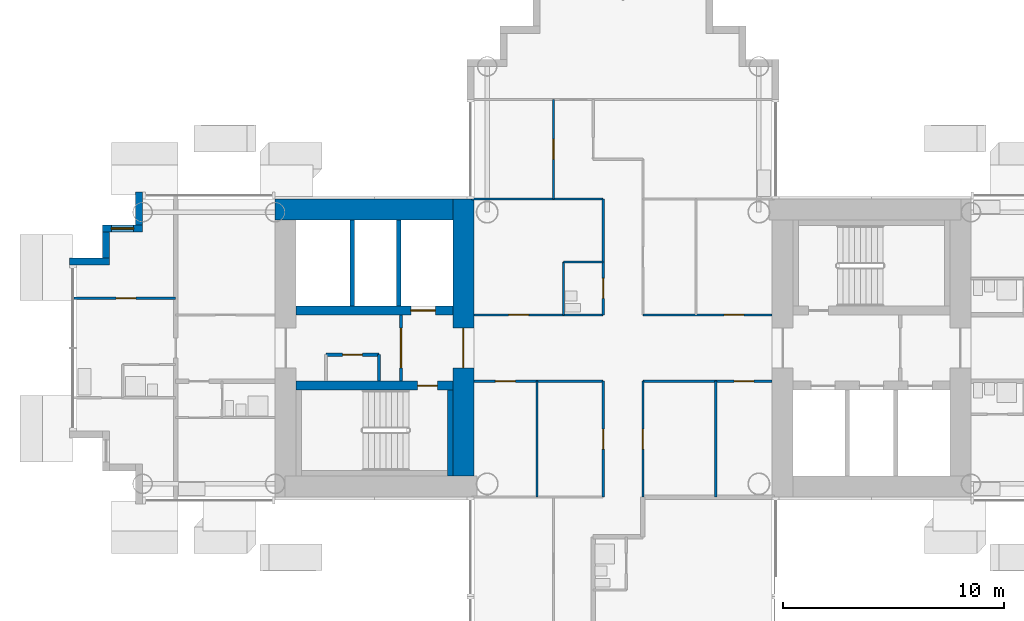
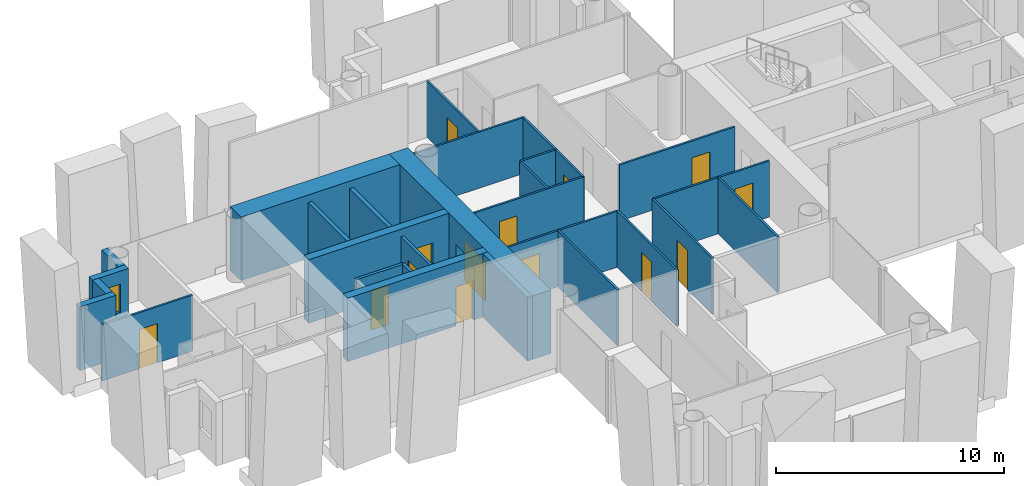
# One storey, part 9 of 21: 28 walls, 14 doors, 1 window, 15 openings.
"""IFC4 building model written with IfcOpenShell, lengths in metres."""

from ifc_helpers import new_model, si_unit, direction, frame, frame_2d, origin, place, context, subcontext, project, spatial, rectangle, extrude, material, layer, layer_set, type_object, element, fill, save


model = new_model("IFC4")

# Units and contexts
model_context = context("Model", 3, precision=1e-05, world=origin(), true_north=direction((0.0, 1.0)))
body_context = subcontext(model_context, "Body", "Model", "MODEL_VIEW")
ifc_project = project(units=[si_unit("LENGTHUNIT", "METRE"), si_unit("AREAUNIT", "SQUARE_METRE"), si_unit("VOLUMEUNIT", "CUBIC_METRE"), si_unit("PLANEANGLEUNIT", "RADIAN"), si_unit("MASSUNIT", "GRAM", prefix="KILO")], contexts=[model_context])

# Site, building, storey
site_placement = place(None, origin())
site = spatial("IfcSite", under=ifc_project, at=site_placement, CompositionType="ELEMENT")
building_placement = place(site_placement, origin())
building = spatial("IfcBuilding", under=site, at=building_placement, Name="Ipe Terrace Towers", CompositionType="ELEMENT")
storey_placement = place(building_placement, frame((0.0, 0.0, 114.0)))
storey = spatial("IfcBuildingStorey", under=building, at=storey_placement, Name="L31", CompositionType="ELEMENT", Elevation=114.0)

# Wall
ifc_material_1 = material(Name="Concrete C40/50 with buff precast cladding", Category="concrete")
ifc_layer_1 = layer(ifc_material_1, 0.320068359375)
ifc_layer_set_1 = layer_set([ifc_layer_1], Name="BUFF CLADDING WALL 320")
wall_type_1 = type_object("IfcWallType", Name="BUFF CLADDING WALL 320", PredefinedType="STANDARD", material=ifc_layer_set_1)
wall_1_placement = place(storey_placement, frame((-57.909912109375, 7.070068359375, -0.300048828125), z_axis=(0.0, 0.0, 1.0), x_axis=(0.0, -1.0, 0.0)))
element("IfcWall", 1, at=wall_1_placement, inside=storey, type_object=wall_type_1, Name="T1-W-L31-47a wall", PredefinedType="STANDARD", context=body_context, shape_type="SweptSolid", body=[
    extrude(rectangle(XDim=1.5, YDim=0.320068359375, at=frame_2d((0.75, 0.0))), origin(), (0.0, 0.0, 1.0), 3.400146484375),
])

# Wall, opening, window
wall_2_placement = place(storey_placement, frame((-57.75, 5.409912109375, -0.300048828125), z_axis=(0.0, 0.0, 1.0), x_axis=(-1.0, 0.0, 0.0)))
wall_2 = element("IfcWall", 2, at=wall_2_placement, inside=storey, type_object=wall_type_1, Name="T1-W-L31-48a wall", PredefinedType="STANDARD", context=body_context, shape_type="SweptSolid", body=[
    extrude(rectangle(XDim=1.820068359375, YDim=0.320068359375, at=frame_2d((0.91015625, 0.0))), origin(), (0.0, 0.0, 1.0), 3.400146484375),
])
opening_1_placement = place(wall_2_placement, frame((0.409912109375, 0.0, 1.199951171875)))
opening_1 = element("IfcOpeningElement", 3, at=opening_1_placement, cuts=wall_2, Name="Opening T1-W-05-L31-02", PredefinedType="OPENING", context=body_context, shape_type="SweptSolid", body=[
    extrude(rectangle(XDim=1.0, YDim=1.5, at=frame_2d((0.5, 0.75))), frame((0.0, 0.169921875, 0.0), z_axis=(0.0, -1.0, 0.0), x_axis=(1.0, 0.0, 0.0)), (0.0, 0.0, 1.0), 0.340087890625),
])
ifc_material_2 = material(Name="Glass, clear laminated", Category="glass")
window_type = type_object("IfcWindowType", Name="DWELLING WINDOW 1000 x 1500", PartitioningType="SINGLE_PANEL", PredefinedType="WINDOW", material=ifc_material_2)
window_placement = place(opening_1_placement, origin())
window = element("IfcWindow", 4, at=window_placement, inside=storey, type_object=window_type, Name="W-05 window", OverallHeight=1.5, OverallWidth=1.0, PartitioningType="SINGLE_PANEL", PredefinedType="WINDOW", context=body_context, shape_type="SweptSolid", body=[
    extrude(rectangle(XDim=1.0, YDim=1.5, at=frame_2d((0.5, 0.75))), frame((0.0, 0.030029296875, 0.0), z_axis=(0.0, -1.0, 0.0), x_axis=(1.0, 0.0, 0.0)), (0.0, 0.0, 1.0), 0.06005859375),
])
fill(opening_1, window)

# Walls
wall_3_placement = place(storey_placement, frame((-59.409912109375, 5.25, -0.300048828125), z_axis=(0.0, 0.0, 1.0), x_axis=(0.0, -1.0, 0.0)))
element("IfcWall", 5, at=wall_3_placement, inside=storey, type_object=wall_type_1, Name="T1-W-L31-49a wall", PredefinedType="STANDARD", context=body_context, shape_type="SweptSolid", body=[
    extrude(rectangle(XDim=1.179931640625, YDim=0.320068359375, at=frame_2d((0.58984375, 0.0))), origin(), (0.0, 0.0, 1.0), 3.400146484375),
])
wall_4_placement = place(storey_placement, frame((-59.25, 3.909912109375, -0.300048828125), z_axis=(0.0, 0.0, 1.0), x_axis=(-1.0, 0.0, 0.0)))
element("IfcWall", 6, at=wall_4_placement, inside=storey, type_object=wall_type_1, Name="T1-W-L31-50a wall", PredefinedType="STANDARD", context=body_context, shape_type="SweptSolid", body=[
    extrude(rectangle(XDim=1.820068359375, YDim=0.320068359375, at=frame_2d((0.91015625, 0.0))), origin(), (0.0, 0.0, 1.0), 3.400146484375),
])
ifc_material_3 = material(Name="Gypsum board partition", Category="plasterboard")
ifc_layer_2 = layer(ifc_material_3, 0.10009765625)
ifc_layer_set_2 = layer_set([ifc_layer_2], Name="Gypsum board partition 100 mm")
wall_type_2 = type_object("IfcWallType", Name="Gypsum board partition 100 mm", PredefinedType="PARTITIONING", material=ifc_layer_set_2)
wall_5_placement = place(storey_placement, frame((-39.89990234375, -6.75, 0.0), z_axis=(0.0, 0.0, 1.0), x_axis=(0.0, 1.0, 0.0)))
element("IfcWall", 7, at=wall_5_placement, inside=storey, type_object=wall_type_2, Name="Gypsum board partition T1 L31 W04", PredefinedType="PARTITIONING", context=body_context, shape_type="SweptSolid", body=[
    extrude(rectangle(XDim=5.25, YDim=0.10009765625, at=frame_2d((2.625, 0.0))), origin(), (0.0, 0.0, 1.0), 3.0),
])

# Wall, opening, door
wall_6_placement = place(storey_placement, frame((-39.14990234375, 6.75, 0.0), z_axis=(0.0, 0.0, 1.0), x_axis=(0.0, 1.0, 0.0)))
wall_6 = element("IfcWall", 8, at=wall_6_placement, inside=storey, type_object=wall_type_2, Name="Gypsum board partition T1 L31 W06", PredefinedType="PARTITIONING", context=body_context, shape_type="SweptSolid", body=[
    extrude(rectangle(XDim=4.5, YDim=0.10009765625, at=frame_2d((2.25, 0.0))), origin(), (0.0, 0.0, 1.0), 3.0),
])
opening_2_placement = place(wall_6_placement, frame((1.800048828125, 0.0, 0.0)))
opening_2 = element("IfcOpeningElement", 9, at=opening_2_placement, cuts=wall_6, Name="Opening T1-Z2F-09", PredefinedType="OPENING", context=body_context, shape_type="SweptSolid", body=[
    extrude(rectangle(XDim=0.89990234375, YDim=2.10009765625, at=frame_2d((0.449951171875, 1.050048828125))), frame((0.0, 0.06005859375, 0.0), z_axis=(0.0, -1.0, 0.0), x_axis=(1.0, 0.0, 0.0)), (0.0, 0.0, 1.0), 0.1201171875),
])
ifc_material_4 = material(Name="Timber door leaf", Category="wood")
door_type_1 = type_object("IfcDoorType", Name="Lounge door 900 x 2100", OperationType="NOTDEFINED", PredefinedType="DOOR", material=ifc_material_4)
door_1_placement = place(opening_2_placement, origin())
door_1 = element("IfcDoor", 10, at=door_1_placement, inside=storey, type_object=door_type_1, Name="Lounge door T1-Z2F-09", OperationType="SINGLE_SWING_LEFT", OverallHeight=2.10009765625, OverallWidth=0.89990234375, PredefinedType="DOOR", context=body_context, shape_type="SweptSolid", body=[
    extrude(rectangle(XDim=0.89990234375, YDim=2.10009765625, at=frame_2d((0.449951171875, 1.050048828125))), frame((0.0, 0.02490234375, 0.0), z_axis=(0.0, -1.0, 0.0), x_axis=(1.0, 0.0, 0.0)), (0.0, 0.0, 1.0), 0.050048828125),
])
fill(opening_2, door_1)

# Wall
wall_7_placement = place(storey_placement, frame((-38.699951171875, 1.5, 0.0), z_axis=(0.0, 0.0, 1.0), x_axis=(0.0, 1.0, 0.0)))
element("IfcWall", 11, at=wall_7_placement, inside=storey, type_object=wall_type_2, Name="Gypsum board partition T1 L31 W07", PredefinedType="PARTITIONING", context=body_context, shape_type="SweptSolid", body=[
    extrude(rectangle(XDim=2.39990234375, YDim=0.10009765625, at=frame_2d((1.199951171875, 0.0))), origin(), (0.0, 0.0, 1.0), 3.0),
])

# Wall, opening, door
wall_8_placement = place(storey_placement, frame((-36.89990234375, -6.75, 0.0), z_axis=(0.0, 0.0, 1.0), x_axis=(0.0, 1.0, 0.0)))
wall_8 = element("IfcWall", 12, at=wall_8_placement, inside=storey, type_object=wall_type_2, Name="Gypsum board partition T1 L31 W10", PredefinedType="PARTITIONING", context=body_context, shape_type="SweptSolid", body=[
    extrude(rectangle(XDim=5.25, YDim=0.10009765625, at=frame_2d((2.625, 0.0))), origin(), (0.0, 0.0, 1.0), 3.0),
])
opening_3_placement = place(wall_8_placement, frame((2.175048828125, 0.0, 0.0)))
opening_3 = element("IfcOpeningElement", 13, at=opening_3_placement, cuts=wall_8, Name="Opening T1-Z2F-05", PredefinedType="OPENING", context=body_context, shape_type="SweptSolid", body=[
    extrude(rectangle(XDim=0.89990234375, YDim=2.10009765625, at=frame_2d((0.449951171875, 1.050048828125))), frame((0.0, 0.06005859375, 0.0), z_axis=(0.0, -1.0, 0.0), x_axis=(1.0, 0.0, 0.0)), (0.0, 0.0, 1.0), 0.1201171875),
])
door_2_placement = place(opening_3_placement, origin())
door_2 = element("IfcDoor", 14, at=door_2_placement, inside=storey, type_object=door_type_1, Name="Lounge door T1-Z2F-05", OperationType="SINGLE_SWING_LEFT", OverallHeight=2.10009765625, OverallWidth=0.89990234375, PredefinedType="DOOR", context=body_context, shape_type="SweptSolid", body=[
    extrude(rectangle(XDim=0.89990234375, YDim=2.10009765625, at=frame_2d((0.449951171875, 1.050048828125))), frame((0.0, 0.02490234375, 0.0), z_axis=(0.0, -1.0, 0.0), x_axis=(1.0, 0.0, 0.0)), (0.0, 0.0, 1.0), 0.050048828125),
])
fill(opening_3, door_2)

wall_9_placement = place(storey_placement, frame((-36.89990234375, 1.5, 0.0), z_axis=(0.0, 0.0, 1.0), x_axis=(0.0, 1.0, 0.0)))
wall_9 = element("IfcWall", 15, at=wall_9_placement, inside=storey, type_object=wall_type_2, Name="Gypsum board partition T1 L31 W11", PredefinedType="PARTITIONING", context=body_context, shape_type="SweptSolid", body=[
    extrude(rectangle(XDim=5.25, YDim=0.10009765625, at=frame_2d((2.625, 0.0))), origin(), (0.0, 0.0, 1.0), 3.0),
])
opening_4_placement = place(wall_9_placement, frame((0.75, 0.0, 0.0)))
opening_4 = element("IfcOpeningElement", 16, at=opening_4_placement, cuts=wall_9, Name="Opening T1-Z2F-01", PredefinedType="OPENING", context=body_context, shape_type="SweptSolid", body=[
    extrude(rectangle(XDim=0.89990234375, YDim=2.10009765625, at=frame_2d((0.449951171875, 1.050048828125))), frame((0.0, 0.06005859375, 0.0), z_axis=(0.0, -1.0, 0.0), x_axis=(1.0, 0.0, 0.0)), (0.0, 0.0, 1.0), 0.1201171875),
])
ifc_material_5 = material(Name="Timber door leaf", Category="wood")
door_type_2 = type_object("IfcDoorType", Name="Bathroom door 900 x 2100", OperationType="NOTDEFINED", PredefinedType="DOOR", material=ifc_material_5)
door_3_placement = place(opening_4_placement, origin())
door_3 = element("IfcDoor", 17, at=door_3_placement, inside=storey, type_object=door_type_2, Name="Bathroom door T1-Z2F-01", OperationType="SINGLE_SWING_RIGHT", OverallHeight=2.10009765625, OverallWidth=0.89990234375, PredefinedType="DOOR", context=body_context, shape_type="SweptSolid", body=[
    extrude(rectangle(XDim=0.89990234375, YDim=2.10009765625, at=frame_2d((0.449951171875, 1.050048828125))), frame((0.0, 0.02490234375, 0.0), z_axis=(0.0, -1.0, 0.0), x_axis=(1.0, 0.0, 0.0)), (0.0, 0.0, 1.0), 0.050048828125),
])
fill(opening_4, door_3)

wall_10_placement = place(storey_placement, frame((-35.10009765625, -6.75, 0.0), z_axis=(0.0, 0.0, 1.0), x_axis=(0.0, 1.0, 0.0)))
wall_10 = element("IfcWall", 18, at=wall_10_placement, inside=storey, type_object=wall_type_2, Name="Gypsum board partition T1 L31 W13", PredefinedType="PARTITIONING", context=body_context, shape_type="SweptSolid", body=[
    extrude(rectangle(XDim=5.25, YDim=0.10009765625, at=frame_2d((2.625, 0.0))), origin(), (0.0, 0.0, 1.0), 3.0),
])
opening_5_placement = place(wall_10_placement, frame((2.175048828125, 0.0, 0.0)))
opening_5 = element("IfcOpeningElement", 19, at=opening_5_placement, cuts=wall_10, Name="Opening T1-Z2F-07", PredefinedType="OPENING", context=body_context, shape_type="SweptSolid", body=[
    extrude(rectangle(XDim=0.89990234375, YDim=2.10009765625, at=frame_2d((0.449951171875, 1.050048828125))), frame((0.0, 0.06005859375, 0.0), z_axis=(0.0, -1.0, 0.0), x_axis=(1.0, 0.0, 0.0)), (0.0, 0.0, 1.0), 0.1201171875),
])
door_4_placement = place(opening_5_placement, origin())
door_4 = element("IfcDoor", 20, at=door_4_placement, inside=storey, type_object=door_type_1, Name="Lounge door T1-Z2F-07", OperationType="SINGLE_SWING_RIGHT", OverallHeight=2.10009765625, OverallWidth=0.89990234375, PredefinedType="DOOR", context=body_context, shape_type="SweptSolid", body=[
    extrude(rectangle(XDim=0.89990234375, YDim=2.10009765625, at=frame_2d((0.449951171875, 1.050048828125))), frame((0.0, 0.02490234375, 0.0), z_axis=(0.0, -1.0, 0.0), x_axis=(1.0, 0.0, 0.0)), (0.0, 0.0, 1.0), 0.050048828125),
])
fill(opening_5, door_4)

# Wall
wall_11_placement = place(storey_placement, frame((-31.800048828125, -6.75, 0.0), z_axis=(0.0, 0.0, 1.0), x_axis=(0.0, 1.0, 0.0)))
element("IfcWall", 21, at=wall_11_placement, inside=storey, type_object=wall_type_2, Name="Gypsum board partition T1 L31 W17", PredefinedType="PARTITIONING", context=body_context, shape_type="SweptSolid", body=[
    extrude(rectangle(XDim=5.25, YDim=0.10009765625, at=frame_2d((2.625, 0.0))), origin(), (0.0, 0.0, 1.0), 3.0),
])

# Wall, opening, door
wall_12_placement = place(storey_placement, frame((-42.75, -1.5, 0.0), z_axis=(0.0, 0.0, 1.0), x_axis=(1.0, 0.0, 0.0)))
wall_12 = element("IfcWall", 22, at=wall_12_placement, inside=storey, type_object=wall_type_2, Name="Gypsum board partition T1 L31 W32", PredefinedType="PARTITIONING", context=body_context, shape_type="SweptSolid", body=[
    extrude(rectangle(XDim=5.85009765625, YDim=0.10009765625, at=frame_2d((2.925048828125, 0.0))), origin(), (0.0, 0.0, 1.0), 3.0),
])
opening_6_placement = place(wall_12_placement, frame((0.97509765625, 0.0, 0.0)))
opening_6 = element("IfcOpeningElement", 23, at=opening_6_placement, cuts=wall_12, Name="Opening T1-Z2F-06", PredefinedType="OPENING", context=body_context, shape_type="SweptSolid", body=[
    extrude(rectangle(XDim=0.89990234375, YDim=2.10009765625, at=frame_2d((0.449951171875, 1.050048828125))), frame((0.0, 0.06005859375, 0.0), z_axis=(0.0, -1.0, 0.0), x_axis=(1.0, 0.0, 0.0)), (0.0, 0.0, 1.0), 0.1201171875),
])
door_5_placement = place(opening_6_placement, origin())
door_5 = element("IfcDoor", 24, at=door_5_placement, inside=storey, type_object=door_type_1, Name="Lounge door T1-Z2F-06", OperationType="SINGLE_SWING_LEFT", OverallHeight=2.10009765625, OverallWidth=0.89990234375, PredefinedType="DOOR", context=body_context, shape_type="SweptSolid", body=[
    extrude(rectangle(XDim=0.89990234375, YDim=2.10009765625, at=frame_2d((0.449951171875, 1.050048828125))), frame((0.0, 0.02490234375, 0.0), z_axis=(0.0, -1.0, 0.0), x_axis=(1.0, 0.0, 0.0)), (0.0, 0.0, 1.0), 0.050048828125),
])
fill(opening_6, door_5)

wall_13_placement = place(storey_placement, frame((-35.10009765625, -1.5, 0.0), z_axis=(0.0, 0.0, 1.0), x_axis=(1.0, 0.0, 0.0)))
wall_13 = element("IfcWall", 25, at=wall_13_placement, inside=storey, type_object=wall_type_2, Name="Gypsum board partition T1 L31 W33", PredefinedType="PARTITIONING", context=body_context, shape_type="SweptSolid", body=[
    extrude(rectangle(XDim=5.85009765625, YDim=0.10009765625, at=frame_2d((2.925048828125, 0.0))), origin(), (0.0, 0.0, 1.0), 3.0),
])
opening_7_placement = place(wall_13_placement, frame((4.125, 0.0, 0.0)))
opening_7 = element("IfcOpeningElement", 26, at=opening_7_placement, cuts=wall_13, Name="Opening T1-Z2F-08", PredefinedType="OPENING", context=body_context, shape_type="SweptSolid", body=[
    extrude(rectangle(XDim=0.89990234375, YDim=2.10009765625, at=frame_2d((0.449951171875, 1.050048828125))), frame((0.0, 0.06005859375, 0.0), z_axis=(0.0, -1.0, 0.0), x_axis=(1.0, 0.0, 0.0)), (0.0, 0.0, 1.0), 0.1201171875),
])
door_6_placement = place(opening_7_placement, origin())
door_6 = element("IfcDoor", 27, at=door_6_placement, inside=storey, type_object=door_type_1, Name="Lounge door T1-Z2F-08", OperationType="SINGLE_SWING_RIGHT", OverallHeight=2.10009765625, OverallWidth=0.89990234375, PredefinedType="DOOR", context=body_context, shape_type="SweptSolid", body=[
    extrude(rectangle(XDim=0.89990234375, YDim=2.10009765625, at=frame_2d((0.449951171875, 1.050048828125))), frame((0.0, 0.02490234375, 0.0), z_axis=(0.0, -1.0, 0.0), x_axis=(1.0, 0.0, 0.0)), (0.0, 0.0, 1.0), 0.050048828125),
])
fill(opening_7, door_6)

wall_14_placement = place(storey_placement, frame((-42.75, 1.5, 0.0), z_axis=(0.0, 0.0, 1.0), x_axis=(1.0, 0.0, 0.0)))
wall_14 = element("IfcWall", 28, at=wall_14_placement, inside=storey, type_object=wall_type_2, Name="Gypsum board partition T1 L31 W38", PredefinedType="PARTITIONING", context=body_context, shape_type="SweptSolid", body=[
    extrude(rectangle(XDim=5.85009765625, YDim=0.10009765625, at=frame_2d((2.925048828125, 0.0))), origin(), (0.0, 0.0, 1.0), 3.0),
])
opening_8_placement = place(wall_14_placement, frame((1.574951171875, 0.0, 0.0)))
opening_8 = element("IfcOpeningElement", 29, at=opening_8_placement, cuts=wall_14, Name="Opening T1-Z2F-04", PredefinedType="OPENING", context=body_context, shape_type="SweptSolid", body=[
    extrude(rectangle(XDim=0.89990234375, YDim=2.10009765625, at=frame_2d((0.449951171875, 1.050048828125))), frame((0.0, 0.06005859375, 0.0), z_axis=(0.0, -1.0, 0.0), x_axis=(1.0, 0.0, 0.0)), (0.0, 0.0, 1.0), 0.1201171875),
])
door_7_placement = place(opening_8_placement, origin())
door_7 = element("IfcDoor", 30, at=door_7_placement, inside=storey, type_object=door_type_1, Name="Lounge door T1-Z2F-04", OperationType="SINGLE_SWING_RIGHT", OverallHeight=2.10009765625, OverallWidth=0.89990234375, PredefinedType="DOOR", context=body_context, shape_type="SweptSolid", body=[
    extrude(rectangle(XDim=0.89990234375, YDim=2.10009765625, at=frame_2d((0.449951171875, 1.050048828125))), frame((0.0, 0.02490234375, 0.0), z_axis=(0.0, -1.0, 0.0), x_axis=(1.0, 0.0, 0.0)), (0.0, 0.0, 1.0), 0.050048828125),
])
fill(opening_8, door_7)

wall_15_placement = place(storey_placement, frame((-35.10009765625, 1.5, 0.0), z_axis=(0.0, 0.0, 1.0), x_axis=(1.0, 0.0, 0.0)))
wall_15 = element("IfcWall", 31, at=wall_15_placement, inside=storey, type_object=wall_type_2, Name="Gypsum board partition T1 L31 W39", PredefinedType="PARTITIONING", context=body_context, shape_type="SweptSolid", body=[
    extrude(rectangle(XDim=5.85009765625, YDim=0.10009765625, at=frame_2d((2.925048828125, 0.0))), origin(), (0.0, 0.0, 1.0), 3.0),
])
opening_9_placement = place(wall_15_placement, frame((3.675048828125, 0.0, 0.0)))
opening_9 = element("IfcOpeningElement", 32, at=opening_9_placement, cuts=wall_15, Name="Opening T1-Z2F-03", PredefinedType="OPENING", context=body_context, shape_type="SweptSolid", body=[
    extrude(rectangle(XDim=0.89990234375, YDim=2.10009765625, at=frame_2d((0.449951171875, 1.050048828125))), frame((0.0, 0.06005859375, 0.0), z_axis=(0.0, -1.0, 0.0), x_axis=(1.0, 0.0, 0.0)), (0.0, 0.0, 1.0), 0.1201171875),
])
door_8_placement = place(opening_9_placement, origin())
door_8 = element("IfcDoor", 33, at=door_8_placement, inside=storey, type_object=door_type_1, Name="Lounge door T1-Z2F-03", OperationType="SINGLE_SWING_LEFT", OverallHeight=2.10009765625, OverallWidth=0.89990234375, PredefinedType="DOOR", context=body_context, shape_type="SweptSolid", body=[
    extrude(rectangle(XDim=0.89990234375, YDim=2.10009765625, at=frame_2d((0.449951171875, 1.050048828125))), frame((0.0, 0.02490234375, 0.0), z_axis=(0.0, -1.0, 0.0), x_axis=(1.0, 0.0, 0.0)), (0.0, 0.0, 1.0), 0.050048828125),
])
fill(opening_9, door_8)

wall_16_placement = place(storey_placement, frame((-60.85009765625, 2.25, 0.0), z_axis=(0.0, 0.0, 1.0), x_axis=(1.0, 0.0, 0.0)))
wall_16 = element("IfcWall", 34, at=wall_16_placement, inside=storey, type_object=wall_type_2, Name="Gypsum board partition T1 L31 W41", PredefinedType="PARTITIONING", context=body_context, shape_type="SweptSolid", body=[
    extrude(rectangle(XDim=4.60009765625, YDim=0.10009765625, at=frame_2d((2.300048828125, 0.0))), origin(), (0.0, 0.0, 1.0), 3.0),
])
opening_10_placement = place(wall_16_placement, frame((1.89990234375, 0.0, 0.0)))
opening_10 = element("IfcOpeningElement", 35, at=opening_10_placement, cuts=wall_16, Name="Opening T1-Z2F-29", PredefinedType="OPENING", context=body_context, shape_type="SweptSolid", body=[
    extrude(rectangle(XDim=0.89990234375, YDim=2.10009765625, at=frame_2d((0.449951171875, 1.050048828125))), frame((0.0, 0.06005859375, 0.0), z_axis=(0.0, -1.0, 0.0), x_axis=(1.0, 0.0, 0.0)), (0.0, 0.0, 1.0), 0.1201171875),
])
ifc_material_6 = material(Name="Timber door leaf", Category="wood")
door_type_3 = type_object("IfcDoorType", Name="Bedroom door 900 x 2100", OperationType="NOTDEFINED", PredefinedType="DOOR", material=ifc_material_6)
door_9_placement = place(opening_10_placement, origin())
door_9 = element("IfcDoor", 36, at=door_9_placement, inside=storey, type_object=door_type_3, Name="Bedroom door T1-Z2F-29", OperationType="SINGLE_SWING_LEFT", OverallHeight=2.10009765625, OverallWidth=0.89990234375, PredefinedType="DOOR", context=body_context, shape_type="SweptSolid", body=[
    extrude(rectangle(XDim=0.89990234375, YDim=2.10009765625, at=frame_2d((0.449951171875, 1.050048828125))), frame((0.0, 0.02490234375, 0.0), z_axis=(0.0, -1.0, 0.0), x_axis=(1.0, 0.0, 0.0)), (0.0, 0.0, 1.0), 0.050048828125),
])
fill(opening_10, door_9)

# Walls
wall_17_placement = place(storey_placement, frame((-38.699951171875, 3.89990234375, 0.0), z_axis=(0.0, 0.0, 1.0), x_axis=(1.0, 0.0, 0.0)))
element("IfcWall", 37, at=wall_17_placement, inside=storey, type_object=wall_type_2, Name="Gypsum board partition T1 L31 W43", PredefinedType="PARTITIONING", context=body_context, shape_type="SweptSolid", body=[
    extrude(rectangle(XDim=1.800048828125, YDim=0.10009765625, at=frame_2d((0.89990234375, 0.0))), origin(), (0.0, 0.0, 1.0), 3.0),
])
wall_18_placement = place(storey_placement, frame((-42.85009765625, 6.75, 0.0), z_axis=(0.0, 0.0, 1.0), x_axis=(1.0, 0.0, 0.0)))
element("IfcWall", 38, at=wall_18_placement, inside=storey, type_object=wall_type_2, Name="Gypsum board partition T1 L31 W44", PredefinedType="PARTITIONING", context=body_context, shape_type="SweptSolid", body=[
    extrude(rectangle(XDim=5.9501953125, YDim=0.10009765625, at=frame_2d((2.97509765625, 0.0))), origin(), (0.0, 0.0, 1.0), 3.0),
])

# Wall, opening, door
ifc_material_7 = material(Name="Gypsum board partition", Category="plasterboard")
ifc_layer_3 = layer(ifc_material_7, 0.14990234375)
ifc_layer_set_3 = layer_set([ifc_layer_3], Name="Gypsum board partition 150 mm")
wall_type_3 = type_object("IfcWallType", Name="Gypsum board partition 150 mm", PredefinedType="PARTITIONING", material=ifc_layer_set_3)
wall_19_placement = place(storey_placement, frame((-46.050048828125, 1.5, 0.0), z_axis=(0.0, 0.0, 1.0), x_axis=(0.0, -1.0, 0.0)))
wall_19 = element("IfcWall", 39, at=wall_19_placement, inside=storey, type_object=wall_type_3, Name="Gypsum board partition T1 L31 t1c2-lobby-wall", PredefinedType="PARTITIONING", context=body_context, shape_type="SweptSolid", body=[
    extrude(rectangle(XDim=3.0, YDim=0.14990234375, at=frame_2d((1.5, 0.0))), origin(), (0.0, 0.0, 1.0), 3.0),
])
opening_11_placement = place(wall_19_placement, frame((0.60009765625, 0.0, 0.0)))
opening_11 = element("IfcOpeningElement", 40, at=opening_11_placement, cuts=wall_19, Name="Opening T1C2-VD", PredefinedType="OPENING", context=body_context, shape_type="SweptSolid", body=[
    extrude(rectangle(XDim=1.800048828125, YDim=2.10009765625, at=frame_2d((0.89990234375, 1.050048828125))), frame((0.0, 0.0849609375, 0.0), z_axis=(0.0, -1.0, 0.0), x_axis=(1.0, 0.0, 0.0)), (0.0, 0.0, 1.0), 0.169921875),
])
ifc_material_8 = material(Name="Fire-rated timber door leaf", Category="wood")
door_type_4 = type_object("IfcDoorType", Name="Lobby door 1800 x 2100 FD60", OperationType="NOTDEFINED", PredefinedType="DOOR", material=ifc_material_8)
door_10_placement = place(opening_11_placement, origin())
door_10 = element("IfcDoor", 41, at=door_10_placement, inside=storey, type_object=door_type_4, Name="Lobby door T1C2-VD", OperationType="SINGLE_SWING_LEFT", OverallHeight=2.10009765625, OverallWidth=1.800048828125, PredefinedType="DOOR", context=body_context, shape_type="SweptSolid", body=[
    extrude(rectangle(XDim=1.800048828125, YDim=2.10009765625, at=frame_2d((0.89990234375, 1.050048828125))), frame((0.0, 0.02490234375, 0.0), z_axis=(0.0, -1.0, 0.0), x_axis=(1.0, 0.0, 0.0)), (0.0, 0.0, 1.0), 0.050048828125),
])
fill(opening_11, door_10)

wall_20_placement = place(storey_placement, frame((-47.050048828125, -0.300048828125, 0.0), z_axis=(0.0, 0.0, 1.0), x_axis=(-1.0, 0.0, 0.0)))
wall_20 = element("IfcWall", 42, at=wall_20_placement, inside=storey, type_object=wall_type_3, Name="Gypsum board partition T1 L31 t1c2-cup-n-f", PredefinedType="PARTITIONING", context=body_context, shape_type="SweptSolid", body=[
    extrude(rectangle(XDim=2.39990234375, YDim=0.14990234375, at=frame_2d((1.199951171875, 0.0))), origin(), (0.0, 0.0, 1.0), 3.0),
])
opening_12_placement = place(wall_20_placement, frame((0.75, 0.0, 0.0)))
opening_12 = element("IfcOpeningElement", 43, at=opening_12_placement, cuts=wall_20, Name="Opening T1C2-SR", PredefinedType="OPENING", context=body_context, shape_type="SweptSolid", body=[
    extrude(rectangle(XDim=0.89990234375, YDim=2.10009765625, at=frame_2d((0.449951171875, 1.050048828125))), frame((0.0, 0.0849609375, 0.0), z_axis=(0.0, -1.0, 0.0), x_axis=(1.0, 0.0, 0.0)), (0.0, 0.0, 1.0), 0.169921875),
])
ifc_material_9 = material(Name="Fire-rated timber door leaf", Category="wood")
door_type_5 = type_object("IfcDoorType", Name="Service door 900 x 2100 FD60", OperationType="NOTDEFINED", PredefinedType="DOOR", material=ifc_material_9)
door_11_placement = place(opening_12_placement, origin())
door_11 = element("IfcDoor", 44, at=door_11_placement, inside=storey, type_object=door_type_5, Name="Service door T1C2-SR", OperationType="SINGLE_SWING_LEFT", OverallHeight=2.10009765625, OverallWidth=0.89990234375, PredefinedType="DOOR", context=body_context, shape_type="SweptSolid", body=[
    extrude(rectangle(XDim=0.89990234375, YDim=2.10009765625, at=frame_2d((0.449951171875, 1.050048828125))), frame((0.0, 0.02490234375, 0.0), z_axis=(0.0, -1.0, 0.0), x_axis=(1.0, 0.0, 0.0)), (0.0, 0.0, 1.0), 0.050048828125),
])
fill(opening_12, door_11)

# Walls
wall_21_placement = place(storey_placement, frame((-47.050048828125, -0.300048828125, 0.0), z_axis=(0.0, 0.0, 1.0), x_axis=(0.0, -1.0, 0.0)))
element("IfcWall", 45, at=wall_21_placement, inside=storey, type_object=wall_type_3, Name="Gypsum board partition T1 L31 t1c2-cup-n-a", PredefinedType="PARTITIONING", context=body_context, shape_type="SweptSolid", body=[
    extrude(rectangle(XDim=1.199951171875, YDim=0.14990234375, at=frame_2d((0.60009765625, 0.0))), origin(), (0.0, 0.0, 1.0), 3.0),
])
ifc_material_10 = material(Name="Gypsum board party wall", Category="plasterboard")
ifc_layer_4 = layer(ifc_material_10, 0.199951171875)
ifc_layer_set_4 = layer_set([ifc_layer_4], Name="Gypsum board party wall 200 mm")
wall_type_4 = type_object("IfcWallType", Name="Gypsum board party wall 200 mm", PredefinedType="SOLIDWALL", material=ifc_layer_set_4)
for number, where, z_axis, x_axis, name in (
    (46, (-46.14990234375, 5.800048828125, 0.0), (0.0, 0.0, 1.0), (0.0, -1.0, 0.0), "Gypsum board party wall T1 L31 t1c2-shaft-div1"),
    (47, (-48.25, 5.800048828125, 0.0), (0.0, 0.0, 1.0), (0.0, -1.0, 0.0), "Gypsum board party wall T1 L31 t1c2-shaft-div2"),
):
    element("IfcWall", number, at=place(storey_placement, frame(where, z_axis=z_axis, x_axis=x_axis)), inside=storey, type_object=wall_type_4, Name=name, PredefinedType="SOLIDWALL", context=body_context, shape_type="SweptSolid", body=[
        extrude(rectangle(XDim=3.900146484375, YDim=0.199951171875, at=frame_2d((1.9501953125, 0.0))), origin(), (0.0, 0.0, 1.0), 3.0),
    ])
ifc_material_11 = material(Name="Concrete C50/60", Category="concrete")
ifc_layer_5 = layer(ifc_material_11, 0.25)
ifc_layer_set_5 = layer_set([ifc_layer_5], Name="RW250 CORE INFILL WALL 250 C50-60")
wall_type_5 = type_object("IfcWallType", Name="RW250 CORE INFILL WALL 250 C50-60", PredefinedType="SHEAR", material=ifc_layer_set_5)
wall_22_placement = place(storey_placement, frame((-43.824951171875, -1.89990234375, 0.0), z_axis=(0.0, 0.0, 1.0), x_axis=(0.0, -1.0, 0.0)))
element("IfcWall", 48, at=wall_22_placement, inside=storey, type_object=wall_type_5, Name="Core infill wall T1-C2-near", PredefinedType="SHEAR", context=body_context, shape_type="SweptSolid", body=[
    extrude(rectangle(XDim=3.900146484375, YDim=0.25, at=frame_2d((1.9501953125, 0.0))), origin(), (0.0, 0.0, 1.0), 3.39990234375),
])

# Wall, opening, door
ifc_material_12 = material(Name="Concrete C50/60", Category="concrete")
ifc_layer_6 = layer(ifc_material_12, 0.39990234375)
ifc_layer_set_6 = layer_set([ifc_layer_6], Name="RW400 CORE SPINE WALL 400 C50-60")
wall_type_6 = type_object("IfcWallType", Name="RW400 CORE SPINE WALL 400 C50-60", PredefinedType="SHEAR", material=ifc_layer_set_6)
wall_23_placement = place(storey_placement, frame((-50.800048828125, -1.699951171875, 0.0), z_axis=(0.0, 0.0, 1.0), x_axis=(1.0, 0.0, 0.0)))
wall_23 = element("IfcWall", 49, at=wall_23_placement, inside=storey, type_object=wall_type_6, Name="Core spine wall T1-C2-Z2-SW1", PredefinedType="SHEAR", context=body_context, shape_type="SweptSolid", body=[
    extrude(rectangle(XDim=7.10009765625, YDim=0.39990234375, at=frame_2d((3.550048828125, 0.0))), origin(), (0.0, 0.0, 1.0), 3.39990234375),
])
opening_13_placement = place(wall_23_placement, frame((5.5, 0.0, 0.0)))
opening_13 = element("IfcOpeningElement", 50, at=opening_13_placement, cuts=wall_23, Name="Opening T1C2-SD", PredefinedType="OPENING", context=body_context, shape_type="SweptSolid", body=[
    extrude(rectangle(XDim=0.89990234375, YDim=2.10009765625, at=frame_2d((0.449951171875, 1.050048828125))), frame((0.0, 0.2099609375, 0.0), z_axis=(0.0, -1.0, 0.0), x_axis=(1.0, 0.0, 0.0)), (0.0, 0.0, 1.0), 0.419921875),
])
ifc_material_13 = material(Name="Fire-rated timber door leaf", Category="wood")
door_type_6 = type_object("IfcDoorType", Name="Stair door 900 x 2100 FD60", OperationType="NOTDEFINED", PredefinedType="DOOR", material=ifc_material_13)
door_12_placement = place(opening_13_placement, origin())
door_12 = element("IfcDoor", 51, at=door_12_placement, inside=storey, type_object=door_type_6, Name="Stair door T1C2-SD", OperationType="SINGLE_SWING_RIGHT", OverallHeight=2.10009765625, OverallWidth=0.89990234375, PredefinedType="DOOR", context=body_context, shape_type="SweptSolid", body=[
    extrude(rectangle(XDim=0.89990234375, YDim=2.10009765625, at=frame_2d((0.449951171875, 1.050048828125))), frame((0.0, 0.02490234375, 0.0), z_axis=(0.0, -1.0, 0.0), x_axis=(1.0, 0.0, 0.0)), (0.0, 0.0, 1.0), 0.050048828125),
])
fill(opening_13, door_12)

wall_24_placement = place(storey_placement, frame((-50.800048828125, 1.699951171875, 0.0), z_axis=(0.0, 0.0, 1.0), x_axis=(1.0, 0.0, 0.0)))
wall_24 = element("IfcWall", 52, at=wall_24_placement, inside=storey, type_object=wall_type_6, Name="Core spine wall T1-C2-Z2-SW2", PredefinedType="SHEAR", context=body_context, shape_type="SweptSolid", body=[
    extrude(rectangle(XDim=7.10009765625, YDim=0.39990234375, at=frame_2d((3.550048828125, 0.0))), origin(), (0.0, 0.0, 1.0), 3.39990234375),
])
opening_14_placement = place(wall_24_placement, frame((5.199951171875, 0.0, 0.0)))
opening_14 = element("IfcOpeningElement", 53, at=opening_14_placement, cuts=wall_24, Name="Opening T1C2-LD1", PredefinedType="OPENING", context=body_context, shape_type="SweptSolid", body=[
    extrude(rectangle(XDim=1.10009765625, YDim=2.10009765625, at=frame_2d((0.550048828125, 1.050048828125))), frame((0.0, 0.2099609375, 0.0), z_axis=(0.0, -1.0, 0.0), x_axis=(1.0, 0.0, 0.0)), (0.0, 0.0, 1.0), 0.419921875),
])
ifc_material_14 = material(Name="Fire-rated timber door leaf", Category="wood")
door_type_7 = type_object("IfcDoorType", Name="Sliding door 1100 x 2100 FD60", OperationType="SLIDING_TO_LEFT", PredefinedType="DOOR", material=ifc_material_14)
door_13_placement = place(opening_14_placement, origin())
door_13 = element("IfcDoor", 54, at=door_13_placement, inside=storey, type_object=door_type_7, Name="Sliding door T1C2-LD1", OperationType="SLIDING_TO_LEFT", OverallHeight=2.10009765625, OverallWidth=1.10009765625, PredefinedType="DOOR", context=body_context, shape_type="SweptSolid", body=[
    extrude(rectangle(XDim=1.10009765625, YDim=2.10009765625, at=frame_2d((0.550048828125, 1.050048828125))), frame((0.0, 0.02490234375, 0.0), z_axis=(0.0, -1.0, 0.0), x_axis=(1.0, 0.0, 0.0)), (0.0, 0.0, 1.0), 0.050048828125),
])
fill(opening_14, door_13)

ifc_material_15 = material(Name="Concrete C50/60", Category="concrete")
ifc_layer_7 = layer(ifc_material_15, 0.949951171875)
ifc_layer_set_7 = layer_set([ifc_layer_7], Name="RW950 CORE WALL 950 C50-60")
wall_type_7 = type_object("IfcWallType", Name="RW950 CORE WALL 950 C50-60", PredefinedType="SHEAR", material=ifc_layer_set_7)
wall_25_placement = place(storey_placement, frame((-43.22509765625, -5.800048828125, 0.0), z_axis=(0.0, 0.0, 1.0), x_axis=(0.0, 1.0, 0.0)))
wall_25 = element("IfcWall", 55, at=wall_25_placement, inside=storey, type_object=wall_type_7, Name="Core wall T1-C2-Z2-W02", PredefinedType="SHEAR", context=body_context, shape_type="SweptSolid", body=[
    extrude(rectangle(XDim=12.550048828125, YDim=0.949951171875, at=frame_2d((6.27490234375, 0.0))), origin(), (0.0, 0.0, 1.0), 3.39990234375),
])
opening_15_placement = place(wall_25_placement, frame((4.89990234375, 0.0, 0.0)))
opening_15 = element("IfcOpeningElement", 56, at=opening_15_placement, cuts=wall_25, Name="Opening T1C2-ND", PredefinedType="OPENING", context=body_context, shape_type="SweptSolid", body=[
    extrude(rectangle(XDim=1.800048828125, YDim=2.10009765625, at=frame_2d((0.89990234375, 1.050048828125))), frame((0.0, 0.48486328125, 0.0), z_axis=(0.0, -1.0, 0.0), x_axis=(1.0, 0.0, 0.0)), (0.0, 0.0, 1.0), 0.969970703125),
])
ifc_material_16 = material(Name="Fire-rated timber door leaf", Category="wood")
door_type_8 = type_object("IfcDoorType", Name="Fire door 1800 x 2100 FD30S", OperationType="NOTDEFINED", PredefinedType="DOOR", material=ifc_material_16)
door_14_placement = place(opening_15_placement, origin())
door_14 = element("IfcDoor", 57, at=door_14_placement, inside=storey, type_object=door_type_8, Name="Fire door T1C2-ND", OperationType="SINGLE_SWING_LEFT", OverallHeight=2.10009765625, OverallWidth=1.800048828125, PredefinedType="DOOR", context=body_context, shape_type="SweptSolid", body=[
    extrude(rectangle(XDim=1.800048828125, YDim=2.10009765625, at=frame_2d((0.89990234375, 1.050048828125))), frame((0.0, 0.02490234375, 0.0), z_axis=(0.0, -1.0, 0.0), x_axis=(1.0, 0.0, 0.0)), (0.0, 0.0, 1.0), 0.050048828125),
])
fill(opening_15, door_14)

# Wall
wall_26_placement = place(storey_placement, frame((-43.699951171875, 6.27490234375, 0.0), z_axis=(0.0, 0.0, 1.0), x_axis=(-1.0, 0.0, 0.0)))
element("IfcWall", 58, at=wall_26_placement, inside=storey, type_object=wall_type_7, Name="Core wall T1-C2-Z2-W03", PredefinedType="SHEAR", context=body_context, shape_type="SweptSolid", body=[
    extrude(rectangle(XDim=8.050048828125, YDim=0.949951171875, at=frame_2d((4.02490234375, 0.0))), origin(), (0.0, 0.0, 1.0), 3.39990234375),
])

save(model, "model.ifc")
